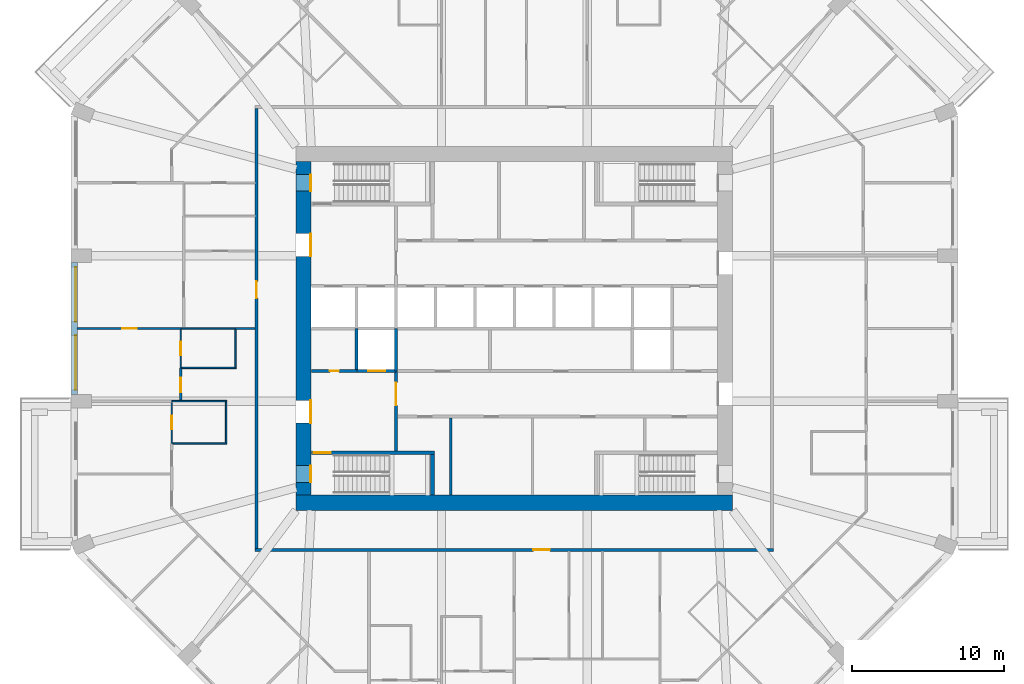
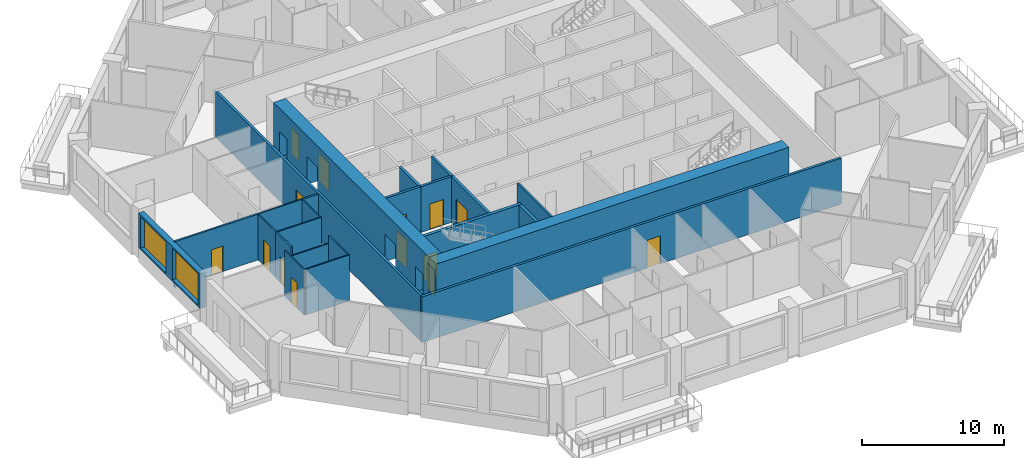
# One storey, part 4 of 13: 24 walls, 14 doors, 2 windows, 16 openings.
"""IFC4 building model written with IfcOpenShell, lengths in metres."""

import ifcopenshell
import ifcopenshell.guid

model = None  # the IFC model being written
_history = None  # IfcOwnerHistory: only IFC2X3 demands one
_inside = {}  # id of a spatial element -> (the spatial element, [elements in it])
_under = {}  # id of a project, library or spatial element -> (it, [spatial elements below it])
_declared = {}  # id of a project -> (the project, [libraries it declares])
_typed = {}  # id of a type object -> (the type object, [elements of that type])
_made_of = {}  # id of a material, layer set ... -> (it, [elements and type objects made of it])


def new_model(schema):
    """Start an empty IFC model of exactly this schema.

    Asked for "IFC4X3", IfcOpenShell would pick the latest addendum, in which some entities
    have other attributes; the version numbers below select the first issue.
    IFC2X3 requires an IfcOwnerHistory on every rooted entity: one is made here for all.
    """
    global model, _history
    if schema == "IFC4X3":
        model = ifcopenshell.file(schema_version=(4, 3, 0, 0))
    else:
        model = ifcopenshell.file(schema=schema)
    _inside.clear()
    _under.clear()
    _declared.clear()
    _typed.clear()
    _made_of.clear()
    _history = None
    if model.schema == "IFC2X3":
        org = make("IfcOrganization", Name="unknown")
        user = make(
            "IfcPersonAndOrganization",
            ThePerson=make("IfcPerson", FamilyName="unknown"),
            TheOrganization=org,
        )
        app = make(
            "IfcApplication",
            ApplicationDeveloper=org,
            Version="unknown",
            ApplicationFullName="unknown",
            ApplicationIdentifier="unknown",
        )
        _history = make(
            "IfcOwnerHistory",
            OwningUser=user,
            OwningApplication=app,
            ChangeAction="ADDED",
            CreationDate=0,
        )
    return model


def make(cls, **values):
    """One entity of the class cls with the attributes given. An attribute that is None is left unset."""
    return model.create_entity(
        cls, **{name: value for name, value in values.items() if value is not None}
    )


def rooted(cls, **values):
    """An entity with a GlobalId (a new one), such as an element, a storey or a relation."""
    return make(cls, GlobalId=ifcopenshell.guid.new(), OwnerHistory=_history, **values)


def si_unit(unit_type, name, prefix=None):
    """IfcSIUnit, for example si_unit("LENGTHUNIT", "METRE", prefix="MILLI")."""
    return make("IfcSIUnit", UnitType=unit_type, Prefix=prefix, Name=name)


def assignment(units):
    """IfcUnitAssignment: the units of a project."""
    return None if units is None else make("IfcUnitAssignment", Units=units)


def point(xyz):
    """IfcCartesianPoint."""
    return None if xyz is None else make("IfcCartesianPoint", Coordinates=xyz)


def direction(xyz):
    """IfcDirection."""
    return None if xyz is None else make("IfcDirection", DirectionRatios=xyz)


def frame(location, z_axis=None, x_axis=None):
    """IfcAxis2Placement3D, a coordinate frame: its origin and axes. An axis left out is left unset."""
    return make(
        "IfcAxis2Placement3D",
        Location=point(location),
        Axis=direction(z_axis),
        RefDirection=direction(x_axis),
    )


def frame_2d(location, x_axis=None):
    """IfcAxis2Placement2D, a coordinate frame in the plane: its origin and x axis."""
    return make(
        "IfcAxis2Placement2D", Location=point(location), RefDirection=direction(x_axis)
    )


def origin():
    """The frame at (0, 0, 0) with its axes left unset."""
    return frame((0.0, 0.0, 0.0))


def place(relative_to, where):
    """IfcLocalPlacement: puts the frame where relative to a parent placement (None: the world)."""
    return make(
        "IfcLocalPlacement", PlacementRelTo=relative_to, RelativePlacement=where
    )


def context(
    kind, dimensions, precision=None, world=None, true_north=None, identifier=None
):
    """IfcGeometricRepresentationContext, for example the 3D "Model" context."""
    return make(
        "IfcGeometricRepresentationContext",
        ContextIdentifier=identifier,
        ContextType=kind,
        CoordinateSpaceDimension=dimensions,
        Precision=precision,
        WorldCoordinateSystem=world,
        TrueNorth=true_north,
    )


def subcontext(parent, identifier, kind, view, scale=None):
    """IfcGeometricRepresentationSubContext, for example "Body" below "Model"."""
    return make(
        "IfcGeometricRepresentationSubContext",
        ContextIdentifier=identifier,
        ContextType=kind,
        ParentContext=parent,
        TargetScale=scale,
        TargetView=view,
    )


def project(units=None, contexts=None):
    """IfcProject with its units and contexts."""
    return rooted(
        "IfcProject",
        Name="project",
        RepresentationContexts=contexts,
        UnitsInContext=assignment(units),
    )


def spatial(cls, under=None, at=None, **own):
    """A site, building, storey or space (cls), placed at a placement, below another one or the project."""
    s = rooted(cls, ObjectPlacement=at, **own)
    if under is not None:
        _under.setdefault(under.id(), (under, []))[1].append(s)
    return s


def profile(cls, at=None, kind="AREA", **sizes):
    """A parametric profile (cls). Its sizes go by their IFC names, for example OverallWidth=200.0."""
    return make(cls, ProfileType=kind, Position=at, **sizes)


def rectangle(**sizes):
    """IfcRectangleProfileDef."""
    return profile("IfcRectangleProfileDef", **sizes)


def extrude(swept, where, along, depth):
    """IfcExtrudedAreaSolid: the profile swept, set in the frame where, extruded along a direction by depth."""
    return make(
        "IfcExtrudedAreaSolid",
        SweptArea=swept,
        Position=where,
        ExtrudedDirection=direction(along),
        Depth=depth,
    )


def shape(context_of_items, identifier, shape_type, items):
    """IfcShapeRepresentation: the items that make up one representation, for example the "Body"."""
    return make(
        "IfcShapeRepresentation",
        ContextOfItems=context_of_items,
        RepresentationIdentifier=identifier,
        RepresentationType=shape_type,
        Items=items,
    )


def material(Name=None, Category=None):
    """IfcMaterial."""
    return make("IfcMaterial", Name=Name, Category=Category)


def layer(
    of_material, thickness, ventilated=None, Name=None, Category=None, Priority=None
):
    """IfcMaterialLayer: one layer of a wall or slab, of a material (None: an air gap)."""
    return make(
        "IfcMaterialLayer",
        Material=of_material,
        LayerThickness=thickness,
        IsVentilated=ventilated,
        Name=Name,
        Category=Category,
        Priority=Priority,
    )


def layer_set(layers, Name=None):
    """IfcMaterialLayerSet."""
    return make("IfcMaterialLayerSet", MaterialLayers=layers, LayerSetName=Name)


def made_of(thing, what):
    """Note that an element or type object is made of a material, layer set ...; save() writes the relation."""
    if what is not None:
        _made_of.setdefault(what.id(), (what, []))[1].append(thing)
    return thing


def type_object(cls, material=None, **own):
    """A type object (cls), such as IfcWallType, which elements share."""
    return made_of(rooted(cls, **own), material)


def element(
    cls,
    number,
    at=None,
    inside=None,
    cuts=None,
    type_object=None,
    material=None,
    context=None,
    identifier="Body",
    shape_type=None,
    held_by="IfcProductDefinitionShape",
    body=None,
    shapes=None,
    **own,
):
    """One element of the class cls, such as IfcWall. Its Tag is "e" and its number.

    at: its placement. inside: the storey or other place that contains it. cuts: it is an
    opening in that element (IfcRelVoidsElement). A single representation is given by context,
    identifier, shape_type and body (its items); several are given by shapes. held_by: the class
    of the entity that holds the representations. save() writes the other relations.
    """
    e = rooted(cls, Tag="e%d" % number, ObjectPlacement=at, **own)
    if body is not None:
        shapes = [shape(context, identifier, shape_type, body)]
    if shapes is not None:
        e.Representation = make(held_by, Representations=shapes)
    if inside is not None:
        _inside.setdefault(inside.id(), (inside, []))[1].append(e)
    if cuts is not None:
        rooted(
            "IfcRelVoidsElement", RelatingBuildingElement=cuts, RelatedOpeningElement=e
        )
    if type_object is not None:
        _typed.setdefault(type_object.id(), (type_object, []))[1].append(e)
    return made_of(e, material)


def fill(opening, filler):
    """IfcRelFillsElement: the door or window that sits in an opening."""
    return rooted(
        "IfcRelFillsElement",
        RelatingOpeningElement=opening,
        RelatedBuildingElement=filler,
    )


def aggregate(whole, parts):
    """IfcRelAggregates: a whole, such as a stair, and the parts it consists of."""
    return rooted("IfcRelAggregates", RelatingObject=whole, RelatedObjects=parts)


def save(model, path):
    """Write the relations noted so far, then the file.

    IfcRelAggregates (storeys below a building ...), IfcRelContainedInSpatialStructure (elements
    in a storey), IfcRelDefinesByType, IfcRelAssociatesMaterial and IfcRelDeclares: one each for
    every whole, place, type object, material and project.
    """
    for whole, parts in _under.values():
        aggregate(whole, parts)
    for where, things in _inside.values():
        rooted(
            "IfcRelContainedInSpatialStructure",
            RelatedElements=things,
            RelatingStructure=where,
        )
    for kind, things in _typed.values():
        rooted("IfcRelDefinesByType", RelatedObjects=things, RelatingType=kind)
    for what, things in _made_of.values():
        rooted("IfcRelAssociatesMaterial", RelatedObjects=things, RelatingMaterial=what)
    for by, libraries in _declared.values():
        rooted("IfcRelDeclares", RelatingContext=by, RelatedDefinitions=libraries)
    model.write(path)


model = new_model("IFC4")

# Units and contexts
model_context = context("Model", 3, precision=1e-05, world=origin(), true_north=direction((0.0, 1.0)))
body_context = subcontext(model_context, "Body", "Model", "MODEL_VIEW")
ifc_project = project(units=[si_unit("LENGTHUNIT", "METRE"), si_unit("AREAUNIT", "SQUARE_METRE"), si_unit("VOLUMEUNIT", "CUBIC_METRE"), si_unit("PLANEANGLEUNIT", "RADIAN"), si_unit("MASSUNIT", "GRAM", prefix="KILO")], contexts=[model_context])

# Site, building, storey
site_placement = place(None, origin())
site = spatial("IfcSite", under=ifc_project, at=site_placement, CompositionType="ELEMENT")
building_placement = place(site_placement, origin())
building = spatial("IfcBuilding", under=site, at=building_placement, Name="Msitu Wima Residences", CompositionType="ELEMENT")
storey_placement = place(building_placement, frame((0.0, 0.0, 80.10009765625)))
storey = spatial("IfcBuildingStorey", under=building, at=storey_placement, Name="L18", CompositionType="ELEMENT", Elevation=80.10009765625)

# Wall, openings, windows
ifc_material_1 = material(Name="Brick (red buff mix)", Category="masonry")
ifc_layer_1 = layer(ifc_material_1, 0.449951171875)
ifc_layer_set_1 = layer_set([ifc_layer_1], Name="Brick (red buff mix)")
wall_type_1 = type_object("IfcWallType", Name="Brick infill wall BW450", PredefinedType="SOLIDWALL", material=ifc_layer_set_1)
wall_1_placement = place(storey_placement, frame((-29.02490234375, 4.35009765625, 0.89990234375), z_axis=(0.0, 0.0, 1.0), x_axis=(0.0, -1.0, 0.0)))
wall_1 = element("IfcWall", 1, at=wall_1_placement, inside=storey, type_object=wall_type_1, Name="Brick infill wall L18 W1", PredefinedType="SOLIDWALL", context=body_context, shape_type="SweptSolid", body=[
    extrude(rectangle(XDim=8.7001953125, YDim=0.449951171875, at=frame_2d((4.35009765625, 0.0))), origin(), (0.0, 0.0, 1.0), 3.0),
])
opening_1_placement = place(wall_1_placement, frame((0.300048828125, 0.0, 0.14990234375)))
opening_1 = element("IfcOpeningElement", 2, at=opening_1_placement, cuts=wall_1, Name="Opening W18-20.031", PredefinedType="OPENING", context=body_context, shape_type="SweptSolid", body=[
    extrude(rectangle(XDim=3.60009765625, YDim=2.699951171875, at=frame_2d((1.800048828125, 1.35009765625))), frame((0.0, 0.23486328125, 0.0), z_axis=(0.0, -1.0, 0.0), x_axis=(1.0, 0.0, 0.0)), (0.0, 0.0, 1.0), 0.469970703125),
])
opening_2_placement = place(wall_1_placement, frame((4.800048828125, 0.0, 0.14990234375)))
opening_2 = element("IfcOpeningElement", 3, at=opening_2_placement, cuts=wall_1, Name="Opening W18-20.032", PredefinedType="OPENING", context=body_context, shape_type="SweptSolid", body=[
    extrude(rectangle(XDim=3.60009765625, YDim=2.699951171875, at=frame_2d((1.800048828125, 1.35009765625))), frame((0.0, 0.23486328125, 0.0), z_axis=(0.0, -1.0, 0.0), x_axis=(1.0, 0.0, 0.0)), (0.0, 0.0, 1.0), 0.469970703125),
])
ifc_material_2 = material(Name="Anodised aluminium, bronze finish, clear low-emissivity double glazing", Category="aluminium")
window_type = type_object("IfcWindowType", Name="Window W3600x2700", PartitioningType="DOUBLE_PANEL_VERTICAL", PredefinedType="WINDOW", material=ifc_material_2)
window_1_placement = place(opening_1_placement, origin())
window_1 = element("IfcWindow", 4, at=window_1_placement, inside=storey, type_object=window_type, Name="Window L18 W1.1", OverallHeight=2.699951171875, OverallWidth=3.60009765625, PartitioningType="SINGLE_PANEL", PredefinedType="WINDOW", context=body_context, shape_type="SweptSolid", body=[
    extrude(rectangle(XDim=3.60009765625, YDim=2.699951171875, at=frame_2d((1.800048828125, 1.35009765625))), frame((0.0, 0.135009765625, 0.0), z_axis=(0.0, -1.0, 0.0), x_axis=(1.0, 0.0, 0.0)), (0.0, 0.0, 1.0), 0.06005859375),
])
fill(opening_1, window_1)
window_2_placement = place(opening_2_placement, origin())
window_2 = element("IfcWindow", 5, at=window_2_placement, inside=storey, type_object=window_type, Name="Window L18 W1.2", OverallHeight=2.699951171875, OverallWidth=3.60009765625, PartitioningType="SINGLE_PANEL", PredefinedType="WINDOW", context=body_context, shape_type="SweptSolid", body=[
    extrude(rectangle(XDim=3.60009765625, YDim=2.699951171875, at=frame_2d((1.800048828125, 1.35009765625))), frame((0.0, 0.135009765625, 0.0), z_axis=(0.0, -1.0, 0.0), x_axis=(1.0, 0.0, 0.0)), (0.0, 0.0, 1.0), 0.06005859375),
])
fill(opening_2, window_2)

# Wall
ifc_material_3 = material(Name="Concrete C80/95", Category="concrete")
ifc_layer_2 = layer(ifc_material_3, 1.0)
ifc_layer_set_2 = layer_set([ifc_layer_2], Name="Concrete C80/95")
wall_type_2 = type_object("IfcWallType", Name="Core wall CW1000 C80/95", PredefinedType="SHEAR", material=ifc_layer_set_2)
wall_2_placement = place(storey_placement, frame((-14.39990234375, -11.5, 0.0), z_axis=(0.0, 0.0, 1.0), x_axis=(1.0, 0.0, 0.0)))
element("IfcWall", 6, at=wall_2_placement, inside=storey, type_object=wall_type_2, Name="Core wall", PredefinedType="SHEAR", context=body_context, shape_type="SweptSolid", body=[
    extrude(rectangle(XDim=28.7998046875, YDim=1.0, at=frame_2d((14.39990234375, 0.0))), origin(), (0.0, 0.0, 1.0), 4.199951171875),
])

# Wall, openings, doors
wall_3_placement = place(storey_placement, frame((-13.89990234375, -11.0, 0.0), z_axis=(0.0, 0.0, 1.0), x_axis=(0.0, 1.0, 0.0)))
wall_3 = element("IfcWall", 7, at=wall_3_placement, inside=storey, type_object=wall_type_2, Name="Core wall", PredefinedType="SHEAR", context=body_context, shape_type="SweptSolid", body=[
    extrude(rectangle(XDim=22.0, YDim=1.0, at=frame_2d((11.0, 0.0))), origin(), (0.0, 0.0, 1.0), 4.199951171875),
])
opening_3_placement = place(wall_3_placement, frame((20.050048828125, 0.0, 0.0)))
opening_3 = element("IfcOpeningElement", 8, at=opening_3_placement, cuts=wall_3, Name="Opening D18-20.031", PredefinedType="OPENING", context=body_context, shape_type="SweptSolid", body=[
    extrude(rectangle(XDim=1.10009765625, YDim=2.199951171875, at=frame_2d((0.550048828125, 1.10009765625))), frame((0.0, 0.510009765625, 0.0), z_axis=(0.0, -1.0, 0.0), x_axis=(1.0, 0.0, 0.0)), (0.0, 0.0, 1.0), 1.02001953125),
])
opening_4_placement = place(wall_3_placement, frame((0.85009765625, 0.0, 0.0)))
opening_4 = element("IfcOpeningElement", 9, at=opening_4_placement, cuts=wall_3, Name="Opening D18-20.033", PredefinedType="OPENING", context=body_context, shape_type="SweptSolid", body=[
    extrude(rectangle(XDim=1.10009765625, YDim=2.199951171875, at=frame_2d((0.550048828125, 1.10009765625))), frame((0.0, 0.510009765625, 0.0), z_axis=(0.0, -1.0, 0.0), x_axis=(1.0, 0.0, 0.0)), (0.0, 0.0, 1.0), 1.02001953125),
])
opening_5_placement = place(wall_3_placement, frame((15.75, 0.0, 0.0)))
opening_5 = element("IfcOpeningElement", 10, at=opening_5_placement, cuts=wall_3, Name="Opening D18-20.012", PredefinedType="OPENING", context=body_context, shape_type="SweptSolid", body=[
    extrude(rectangle(XDim=1.5, YDim=2.39990234375, at=frame_2d((0.75, 1.199951171875))), frame((0.0, 0.510009765625, 0.0), z_axis=(0.0, -1.0, 0.0), x_axis=(1.0, 0.0, 0.0)), (0.0, 0.0, 1.0), 1.02001953125),
])
opening_6_placement = place(wall_3_placement, frame((4.75, 0.0, 0.0)))
opening_6 = element("IfcOpeningElement", 11, at=opening_6_placement, cuts=wall_3, Name="Opening D18-20.014", PredefinedType="OPENING", context=body_context, shape_type="SweptSolid", body=[
    extrude(rectangle(XDim=1.5, YDim=2.39990234375, at=frame_2d((0.75, 1.199951171875))), frame((0.0, 0.510009765625, 0.0), z_axis=(0.0, -1.0, 0.0), x_axis=(1.0, 0.0, 0.0)), (0.0, 0.0, 1.0), 1.02001953125),
])
ifc_material_4 = material(Name="Steel framed glazed door, fire resisting", Category="steel")
door_type_1 = type_object("IfcDoorType", Name="Lobby door D07 1500x2400", OperationType="DOUBLE_DOOR_SINGLE_SWING", PredefinedType="DOOR", material=ifc_material_4)
door_1_placement = place(opening_5_placement, origin())
door_1 = element("IfcDoor", 12, at=door_1_placement, inside=storey, type_object=door_type_1, Name="Lobby door", OperationType="DOUBLE_DOOR_SINGLE_SWING", OverallHeight=2.39990234375, OverallWidth=1.5, PredefinedType="DOOR", context=body_context, shape_type="SweptSolid", body=[
    extrude(rectangle(XDim=1.5, YDim=2.39990234375, at=frame_2d((0.75, 1.199951171875))), frame((0.0, -0.44482421875, 0.0), z_axis=(0.0, -1.0, 0.0), x_axis=(1.0, 0.0, 0.0)), (0.0, 0.0, 1.0), 0.050048828125),
])
fill(opening_5, door_1)
door_2_placement = place(opening_6_placement, origin())
door_2 = element("IfcDoor", 13, at=door_2_placement, inside=storey, type_object=door_type_1, Name="Lobby door", OperationType="DOUBLE_DOOR_SINGLE_SWING", OverallHeight=2.39990234375, OverallWidth=1.5, PredefinedType="DOOR", context=body_context, shape_type="SweptSolid", body=[
    extrude(rectangle(XDim=1.5, YDim=2.39990234375, at=frame_2d((0.75, 1.199951171875))), frame((0.0, -0.44482421875, 0.0), z_axis=(0.0, -1.0, 0.0), x_axis=(1.0, 0.0, 0.0)), (0.0, 0.0, 1.0), 0.050048828125),
])
fill(opening_6, door_2)
ifc_material_5 = material(Name="Steel door, fire resisting, panic bar", Category="steel")
door_type_2 = type_object("IfcDoorType", Name="Stair door D06 1100x2200", OperationType="SINGLE_SWING_LEFT", PredefinedType="DOOR", material=ifc_material_5)
door_3_placement = place(opening_3_placement, origin())
door_3 = element("IfcDoor", 14, at=door_3_placement, inside=storey, type_object=door_type_2, Name="Stair door", OperationType="SINGLE_SWING_RIGHT", OverallHeight=2.199951171875, OverallWidth=1.10009765625, PredefinedType="DOOR", context=body_context, shape_type="SweptSolid", body=[
    extrude(rectangle(XDim=1.10009765625, YDim=2.199951171875, at=frame_2d((0.550048828125, 1.10009765625))), frame((0.0, -0.44482421875, 0.0), z_axis=(0.0, -1.0, 0.0), x_axis=(1.0, 0.0, 0.0)), (0.0, 0.0, 1.0), 0.050048828125),
])
fill(opening_3, door_3)
door_4_placement = place(opening_4_placement, origin())
door_4 = element("IfcDoor", 15, at=door_4_placement, inside=storey, type_object=door_type_2, Name="Stair door", OperationType="SINGLE_SWING_LEFT", OverallHeight=2.199951171875, OverallWidth=1.10009765625, PredefinedType="DOOR", context=body_context, shape_type="SweptSolid", body=[
    extrude(rectangle(XDim=1.10009765625, YDim=2.199951171875, at=frame_2d((0.550048828125, 1.10009765625))), frame((0.0, -0.44482421875, 0.0), z_axis=(0.0, -1.0, 0.0), x_axis=(1.0, 0.0, 0.0)), (0.0, 0.0, 1.0), 0.050048828125),
])
fill(opening_4, door_4)

# Wall, opening, door
ifc_material_6 = material(Name="Plaster")
ifc_layer_3 = layer(ifc_material_6, 0.011962890625, Name="Plaster")
ifc_material_7 = material(Name="Concrete blockwork", Category="masonry")
ifc_layer_4 = layer(ifc_material_7, 0.176025390625, Name="Concrete blockwork")
ifc_layer_5 = layer(ifc_material_6, 0.011962890625, Name="Plaster")
ifc_layer_set_3 = layer_set([ifc_layer_3, ifc_layer_4, ifc_layer_5], Name="Concrete blockwork")
wall_type_3 = type_object("IfcWallType", Name="Corridor wall FW200", PredefinedType="PARTITIONING", material=ifc_layer_set_3)
wall_4_placement = place(storey_placement, frame((-17.0, -14.5, 0.0), z_axis=(0.0, 0.0, 1.0), x_axis=(0.0, 1.0, 0.0)))
wall_4 = element("IfcWall", 16, at=wall_4_placement, inside=storey, type_object=wall_type_3, Name="Corridor wall", PredefinedType="PARTITIONING", context=body_context, shape_type="SweptSolid", body=[
    extrude(rectangle(XDim=29.0, YDim=0.199951171875, at=frame_2d((14.5, 0.0))), origin(), (0.0, 0.0, 1.0), 3.949951171875),
])
opening_7_placement = place(wall_4_placement, frame((16.5, 0.0, 0.0)))
opening_7 = element("IfcOpeningElement", 17, at=opening_7_placement, cuts=wall_4, Name="Opening D18-20.009", PredefinedType="OPENING", context=body_context, shape_type="SweptSolid", body=[
    extrude(rectangle(XDim=1.10009765625, YDim=2.39990234375, at=frame_2d((0.550048828125, 1.199951171875))), frame((0.0, 0.10986328125, 0.0), z_axis=(0.0, -1.0, 0.0), x_axis=(1.0, 0.0, 0.0)), (0.0, 0.0, 1.0), 0.219970703125),
])
ifc_material_8 = material(Name="Timber flush door, fire resisting, self-closing", Category="wood")
door_type_3 = type_object("IfcDoorType", Name="Flat entrance door D01 1100x2400", OperationType="SINGLE_SWING_LEFT", PredefinedType="DOOR", material=ifc_material_8)
door_5_placement = place(opening_7_placement, origin())
door_5 = element("IfcDoor", 18, at=door_5_placement, inside=storey, type_object=door_type_3, Name="Flat entrance door", OperationType="SINGLE_SWING_RIGHT", OverallHeight=2.39990234375, OverallWidth=1.10009765625, PredefinedType="DOOR", context=body_context, shape_type="SweptSolid", body=[
    extrude(rectangle(XDim=1.10009765625, YDim=2.39990234375, at=frame_2d((0.550048828125, 1.199951171875))), frame((0.0, 0.02490234375, 0.0), z_axis=(0.0, -1.0, 0.0), x_axis=(1.0, 0.0, 0.0)), (0.0, 0.0, 1.0), 0.050048828125),
])
fill(opening_7, door_5)

wall_5_placement = place(storey_placement, frame((-17.10009765625, -14.60009765625, 0.0), z_axis=(0.0, 0.0, 1.0), x_axis=(1.0, 0.0, 0.0)))
wall_5 = element("IfcWall", 19, at=wall_5_placement, inside=storey, type_object=wall_type_3, Name="Corridor wall", PredefinedType="PARTITIONING", context=body_context, shape_type="SweptSolid", body=[
    extrude(rectangle(XDim=34.2001953125, YDim=0.199951171875, at=frame_2d((17.10009765625, 0.0))), origin(), (0.0, 0.0, 1.0), 3.949951171875),
])
opening_8_placement = place(wall_5_placement, frame((18.35009765625, 0.0, 0.0)))
opening_8 = element("IfcOpeningElement", 20, at=opening_8_placement, cuts=wall_5, Name="Opening D18-20.010", PredefinedType="OPENING", context=body_context, shape_type="SweptSolid", body=[
    extrude(rectangle(XDim=1.10009765625, YDim=2.39990234375, at=frame_2d((0.550048828125, 1.199951171875))), frame((0.0, 0.10986328125, 0.0), z_axis=(0.0, -1.0, 0.0), x_axis=(1.0, 0.0, 0.0)), (0.0, 0.0, 1.0), 0.219970703125),
])
door_6_placement = place(opening_8_placement, origin())
door_6 = element("IfcDoor", 21, at=door_6_placement, inside=storey, type_object=door_type_3, Name="Flat entrance door", OperationType="SINGLE_SWING_RIGHT", OverallHeight=2.39990234375, OverallWidth=1.10009765625, PredefinedType="DOOR", context=body_context, shape_type="SweptSolid", body=[
    extrude(rectangle(XDim=1.10009765625, YDim=2.39990234375, at=frame_2d((0.550048828125, 1.199951171875))), frame((0.0, 0.02490234375, 0.0), z_axis=(0.0, -1.0, 0.0), x_axis=(1.0, 0.0, 0.0)), (0.0, 0.0, 1.0), 0.050048828125),
])
fill(opening_8, door_6)

wall_6_placement = place(storey_placement, frame((-7.800048828125, -8.074951171875, 0.0), z_axis=(0.0, 0.0, 1.0), x_axis=(0.0, 1.0, 0.0)))
wall_6 = element("IfcWall", 22, at=wall_6_placement, inside=storey, type_object=wall_type_3, Name="Corridor wall", PredefinedType="PARTITIONING", context=body_context, shape_type="SweptSolid", body=[
    extrude(rectangle(XDim=5.27490234375, YDim=0.199951171875, at=frame_2d((2.637451171875, 0.0))), origin(), (0.0, 0.0, 1.0), 3.949951171875),
])
opening_9_placement = place(wall_6_placement, frame((3.0, 0.0, 0.0)))
opening_9 = element("IfcOpeningElement", 23, at=opening_9_placement, cuts=wall_6, Name="Opening D18-20.015", PredefinedType="OPENING", context=body_context, shape_type="SweptSolid", body=[
    extrude(rectangle(XDim=1.5, YDim=2.39990234375, at=frame_2d((0.75, 1.199951171875))), frame((0.0, 0.10986328125, 0.0), z_axis=(0.0, -1.0, 0.0), x_axis=(1.0, 0.0, 0.0)), (0.0, 0.0, 1.0), 0.219970703125),
])
door_7_placement = place(opening_9_placement, origin())
door_7 = element("IfcDoor", 24, at=door_7_placement, inside=storey, type_object=door_type_1, Name="Lobby door", OperationType="DOUBLE_DOOR_SINGLE_SWING", OverallHeight=2.39990234375, OverallWidth=1.5, PredefinedType="DOOR", context=body_context, shape_type="SweptSolid", body=[
    extrude(rectangle(XDim=1.5, YDim=2.39990234375, at=frame_2d((0.75, 1.199951171875))), frame((0.0, 0.02490234375, 0.0), z_axis=(0.0, -1.0, 0.0), x_axis=(1.0, 0.0, 0.0)), (0.0, 0.0, 1.0), 0.050048828125),
])
fill(opening_9, door_7)

ifc_layer_6 = layer(ifc_material_6, 0.011962890625, Name="Plaster")
ifc_layer_7 = layer(ifc_material_7, 0.1259765625, Name="Concrete blockwork")
ifc_layer_8 = layer(ifc_material_6, 0.011962890625, Name="Plaster")
ifc_layer_set_4 = layer_set([ifc_layer_6, ifc_layer_7, ifc_layer_8], Name="Concrete blockwork")
wall_type_4 = type_object("IfcWallType", Name="Partition PW150", PredefinedType="PARTITIONING", material=ifc_layer_set_4)
wall_7_placement = place(storey_placement, frame((-28.85498046875, 0.0, 0.0), z_axis=(0.0, 0.0, 1.0), x_axis=(1.0, 0.0, 0.0)))
wall_7 = element("IfcWall", 25, at=wall_7_placement, inside=storey, type_object=wall_type_4, Name="Partition", PredefinedType="PARTITIONING", context=body_context, shape_type="SweptSolid", body=[
    extrude(rectangle(XDim=6.875, YDim=0.14990234375, at=frame_2d((3.4375, 0.0))), origin(), (0.0, 0.0, 1.0), 3.949951171875),
])
opening_10_placement = place(wall_7_placement, frame((3.0, 0.0, 0.0)))
opening_10 = element("IfcOpeningElement", 26, at=opening_10_placement, cuts=wall_7, Name="Opening D18-20.054", PredefinedType="OPENING", context=body_context, shape_type="SweptSolid", body=[
    extrude(rectangle(XDim=0.949951171875, YDim=2.199951171875, at=frame_2d((0.47509765625, 1.10009765625))), frame((0.0, 0.0849609375, 0.0), z_axis=(0.0, -1.0, 0.0), x_axis=(1.0, 0.0, 0.0)), (0.0, 0.0, 1.0), 0.169921875),
])
ifc_material_9 = material(Name="Timber flush door", Category="wood")
door_type_4 = type_object("IfcDoorType", Name="Room door D12 950x2200", OperationType="SINGLE_SWING_LEFT", PredefinedType="DOOR", material=ifc_material_9)
door_8_placement = place(opening_10_placement, origin())
door_8 = element("IfcDoor", 27, at=door_8_placement, inside=storey, type_object=door_type_4, Name="Room door", OperationType="SINGLE_SWING_RIGHT", OverallHeight=2.199951171875, OverallWidth=0.949951171875, PredefinedType="DOOR", context=body_context, shape_type="SweptSolid", body=[
    extrude(rectangle(XDim=0.949951171875, YDim=2.199951171875, at=frame_2d((0.47509765625, 1.10009765625))), frame((0.0, 0.02490234375, 0.0), z_axis=(0.0, -1.0, 0.0), x_axis=(1.0, 0.0, 0.0)), (0.0, 0.0, 1.0), 0.050048828125),
])
fill(opening_10, door_8)

wall_8_placement = place(storey_placement, frame((-22.0, -4.75, 0.0), z_axis=(0.0, 0.0, 1.0), x_axis=(0.0, 1.0, 0.0)))
wall_8 = element("IfcWall", 28, at=wall_8_placement, inside=storey, type_object=wall_type_4, Name="Partition", PredefinedType="PARTITIONING", context=body_context, shape_type="SweptSolid", body=[
    extrude(rectangle(XDim=2.1298828125, YDim=0.14990234375, at=frame_2d((1.06494140625, 0.0))), origin(), (0.0, 0.0, 1.0), 3.949951171875),
])
opening_11_placement = place(wall_8_placement, frame((0.550048828125, 0.0, 0.0)))
opening_11 = element("IfcOpeningElement", 29, at=opening_11_placement, cuts=wall_8, Name="Opening D18-20.056", PredefinedType="OPENING", context=body_context, shape_type="SweptSolid", body=[
    extrude(rectangle(XDim=0.949951171875, YDim=2.199951171875, at=frame_2d((0.47509765625, 1.10009765625))), frame((0.0, 0.0849609375, 0.0), z_axis=(0.0, -1.0, 0.0), x_axis=(1.0, 0.0, 0.0)), (0.0, 0.0, 1.0), 0.169921875),
])
door_9_placement = place(opening_11_placement, origin())
door_9 = element("IfcDoor", 30, at=door_9_placement, inside=storey, type_object=door_type_4, Name="Room door", OperationType="SINGLE_SWING_LEFT", OverallHeight=2.199951171875, OverallWidth=0.949951171875, PredefinedType="DOOR", context=body_context, shape_type="SweptSolid", body=[
    extrude(rectangle(XDim=0.949951171875, YDim=2.199951171875, at=frame_2d((0.47509765625, 1.10009765625))), frame((0.0, 0.02490234375, 0.0), z_axis=(0.0, -1.0, 0.0), x_axis=(1.0, 0.0, 0.0)), (0.0, 0.0, 1.0), 0.050048828125),
])
fill(opening_11, door_9)

# Walls
wall_9_placement = place(storey_placement, frame((-18.3798828125, 0.0, 0.0), z_axis=(0.0, 0.0, 1.0), x_axis=(1.0, 0.0, 0.0)))
element("IfcWall", 31, at=wall_9_placement, inside=storey, type_object=wall_type_4, Name="Partition", PredefinedType="PARTITIONING", context=body_context, shape_type="SweptSolid", body=[
    extrude(rectangle(XDim=1.27978515625, YDim=0.14990234375, at=frame_2d((0.639892578125, 0.0))), origin(), (0.0, 0.0, 1.0), 3.949951171875),
])
wall_10_placement = place(storey_placement, frame((-4.199951171875, -10.969970703125, 0.0), z_axis=(0.0, 0.0, 1.0), x_axis=(0.0, 1.0, 0.0)))
element("IfcWall", 32, at=wall_10_placement, inside=storey, type_object=wall_type_4, Name="Partition", PredefinedType="PARTITIONING", context=body_context, shape_type="SweptSolid", body=[
    extrude(rectangle(XDim=5.070068359375, YDim=0.14990234375, at=frame_2d((2.53515625, 0.0))), origin(), (0.0, 0.0, 1.0), 3.949951171875),
])

# Wall, opening, door
ifc_layer_9 = layer(ifc_material_6, 0.011962890625, Name="Plaster")
ifc_material_10 = material(Name="Reinforced concrete blockwork", Category="masonry")
ifc_layer_10 = layer(ifc_material_10, 0.176025390625, Name="Reinforced concrete blockwork")
ifc_layer_11 = layer(ifc_material_6, 0.011962890625, Name="Plaster")
ifc_layer_set_5 = layer_set([ifc_layer_9, ifc_layer_10, ifc_layer_11], Name="Reinforced concrete blockwork")
wall_type_5 = type_object("IfcWallType", Name="Plant and riser wall PL200", PredefinedType="PARTITIONING", material=ifc_layer_set_5)
wall_11_placement = place(storey_placement, frame((-13.3701171875, -2.800048828125, 0.0), z_axis=(0.0, 0.0, 1.0), x_axis=(1.0, 0.0, 0.0)))
wall_11 = element("IfcWall", 33, at=wall_11_placement, inside=storey, type_object=wall_type_5, Name="Plant and riser wall", PredefinedType="PARTITIONING", context=body_context, shape_type="SweptSolid", body=[
    extrude(rectangle(XDim=2.990234375, YDim=0.199951171875, at=frame_2d((1.4951171875, 0.0))), origin(), (0.0, 0.0, 1.0), 3.949951171875),
])
opening_12_placement = place(wall_11_placement, frame((1.199951171875, 0.0, 0.0)))
opening_12 = element("IfcOpeningElement", 34, at=opening_12_placement, cuts=wall_11, Name="Opening D18-20.028", PredefinedType="OPENING", context=body_context, shape_type="SweptSolid", body=[
    extrude(rectangle(XDim=0.60009765625, YDim=2.0, at=frame_2d((0.300048828125, 1.0))), frame((0.0, 0.10986328125, 0.0), z_axis=(0.0, -1.0, 0.0), x_axis=(1.0, 0.0, 0.0)), (0.0, 0.0, 1.0), 0.219970703125),
])
ifc_material_11 = material(Name="Steel access door, fire resisting", Category="steel")
door_type_5 = type_object("IfcDoorType", Name="Riser access door D08 600x2000", OperationType="SINGLE_SWING_LEFT", PredefinedType="DOOR", material=ifc_material_11)
door_10_placement = place(opening_12_placement, origin())
door_10 = element("IfcDoor", 35, at=door_10_placement, inside=storey, type_object=door_type_5, Name="Riser access door", OperationType="SINGLE_SWING_RIGHT", OverallHeight=2.0, OverallWidth=0.60009765625, PredefinedType="DOOR", context=body_context, shape_type="SweptSolid", body=[
    extrude(rectangle(XDim=0.60009765625, YDim=2.0, at=frame_2d((0.300048828125, 1.0))), frame((0.0, 0.02490234375, 0.0), z_axis=(0.0, -1.0, 0.0), x_axis=(1.0, 0.0, 0.0)), (0.0, 0.0, 1.0), 0.050048828125),
])
fill(opening_12, door_10)

# Wall
ifc_material_12 = material(Name="Fire-rated board")
ifc_layer_12 = layer(ifc_material_12, 0.02490234375, Name="Fire-rated board")
ifc_material_13 = material(Name="Light-gauge stud framing with mineral wool")
ifc_layer_13 = layer(ifc_material_13, 0.14990234375, Name="Light-gauge stud framing with mineral wool")
ifc_layer_14 = layer(ifc_material_12, 0.02490234375, Name="Fire-rated board")
ifc_layer_set_6 = layer_set([ifc_layer_12, ifc_layer_13, ifc_layer_14], Name="Light-gauge stud framing with mineral wool")
wall_type_6 = type_object("IfcWallType", Name="Shaft wall SH200", PredefinedType="PARTITIONING", material=ifc_layer_set_6)
wall_12_placement = place(storey_placement, frame((-10.39990234375, -2.699951171875, 0.0), z_axis=(0.0, 0.0, 1.0), x_axis=(0.0, 1.0, 0.0)))
element("IfcWall", 36, at=wall_12_placement, inside=storey, type_object=wall_type_6, Name="Shaft wall", PredefinedType="PARTITIONING", context=body_context, shape_type="SweptSolid", body=[
    extrude(rectangle(XDim=2.699951171875, YDim=0.199951171875, at=frame_2d((1.35009765625, 0.0))), origin(), (0.0, 0.0, 1.0), 3.949951171875),
])

# Wall, opening, door
wall_13_placement = place(storey_placement, frame((-10.3798828125, -2.800048828125, 0.0), z_axis=(0.0, 0.0, 1.0), x_axis=(1.0, 0.0, 0.0)))
wall_13 = element("IfcWall", 37, at=wall_13_placement, inside=storey, type_object=wall_type_6, Name="Shaft wall", PredefinedType="PARTITIONING", context=body_context, shape_type="SweptSolid", body=[
    extrude(rectangle(XDim=2.559814453125, YDim=0.199951171875, at=frame_2d((1.27978515625, 0.0))), origin(), (0.0, 0.0, 1.0), 3.949951171875),
])
opening_13_placement = place(wall_13_placement, frame((0.75, 0.0, 0.0)))
opening_13 = element("IfcOpeningElement", 38, at=opening_13_placement, cuts=wall_13, Name="Opening LD", PredefinedType="OPENING", context=body_context, shape_type="SweptSolid", body=[
    extrude(rectangle(XDim=1.10009765625, YDim=2.199951171875, at=frame_2d((0.550048828125, 1.10009765625))), frame((0.0, 0.10986328125, 0.0), z_axis=(0.0, -1.0, 0.0), x_axis=(1.0, 0.0, 0.0)), (0.0, 0.0, 1.0), 0.219970703125),
])
ifc_material_14 = material(Name="Stainless steel centre-opening landing door, rated", Category="steel")
door_type_6 = type_object("IfcDoorType", Name="Lift landing door LD 1100x2200", OperationType="DOUBLE_DOOR_SLIDING", PredefinedType="DOOR", material=ifc_material_14)
door_11_placement = place(opening_13_placement, origin())
door_11 = element("IfcDoor", 39, at=door_11_placement, inside=storey, type_object=door_type_6, Name="Lift landing door LD3", OperationType="DOUBLE_DOOR_SLIDING", OverallHeight=2.199951171875, OverallWidth=1.10009765625, PredefinedType="DOOR", context=body_context, shape_type="SweptSolid", body=[
    extrude(rectangle(XDim=1.10009765625, YDim=2.199951171875, at=frame_2d((0.550048828125, 1.10009765625))), frame((0.0, 0.02490234375, 0.0), z_axis=(0.0, -1.0, 0.0), x_axis=(1.0, 0.0, 0.0)), (0.0, 0.0, 1.0), 0.050048828125),
])
fill(opening_13, door_11)

# Wall
wall_14_placement = place(storey_placement, frame((-7.800048828125, -2.800048828125, 0.0), z_axis=(0.0, 0.0, 1.0), x_axis=(0.0, 1.0, 0.0)))
element("IfcWall", 40, at=wall_14_placement, inside=storey, type_object=wall_type_6, Name="Shaft wall", PredefinedType="PARTITIONING", context=body_context, shape_type="SweptSolid", body=[
    extrude(rectangle(XDim=2.800048828125, YDim=0.199951171875, at=frame_2d((1.39990234375, 0.0))), origin(), (0.0, 0.0, 1.0), 3.949951171875),
])

# Wall, opening, door
ifc_material_15 = material(Name="Concrete C50/60", Category="concrete")
ifc_layer_15 = layer(ifc_material_15, 0.25)
ifc_layer_set_7 = layer_set([ifc_layer_15], Name="Concrete C50/60")
wall_type_7 = type_object("IfcWallType", Name="Stair enclosure wall SW250", PredefinedType="SHEAR", material=ifc_layer_set_7)
wall_15_placement = place(storey_placement, frame((-13.3701171875, -8.199951171875, 0.0), z_axis=(0.0, 0.0, 1.0), x_axis=(1.0, 0.0, 0.0)))
wall_15 = element("IfcWall", 41, at=wall_15_placement, inside=storey, type_object=wall_type_7, Name="Stair enclosure wall", PredefinedType="SHEAR", context=body_context, shape_type="SweptSolid", body=[
    extrude(rectangle(XDim=8.09521484375, YDim=0.25, at=frame_2d((4.047607421875, 0.0))), origin(), (0.0, 0.0, 1.0), 3.949951171875),
])
opening_14_placement = place(wall_15_placement, frame((0.14990234375, 0.0, 0.0)))
opening_14 = element("IfcOpeningElement", 42, at=opening_14_placement, cuts=wall_15, Name="Opening D18-20.034", PredefinedType="OPENING", context=body_context, shape_type="SweptSolid", body=[
    extrude(rectangle(XDim=1.10009765625, YDim=2.199951171875, at=frame_2d((0.550048828125, 1.10009765625))), frame((0.0, 0.135009765625, 0.0), z_axis=(0.0, -1.0, 0.0), x_axis=(1.0, 0.0, 0.0)), (0.0, 0.0, 1.0), 0.27001953125),
])
door_12_placement = place(opening_14_placement, origin())
door_12 = element("IfcDoor", 43, at=door_12_placement, inside=storey, type_object=door_type_2, Name="Stair door", OperationType="SINGLE_SWING_RIGHT", OverallHeight=2.199951171875, OverallWidth=1.10009765625, PredefinedType="DOOR", context=body_context, shape_type="SweptSolid", body=[
    extrude(rectangle(XDim=1.10009765625, YDim=2.199951171875, at=frame_2d((0.550048828125, 1.10009765625))), frame((0.0, 0.02490234375, 0.0), z_axis=(0.0, -1.0, 0.0), x_axis=(1.0, 0.0, 0.0)), (0.0, 0.0, 1.0), 0.050048828125),
])
fill(opening_14, door_12)

# Walls
wall_16_placement = place(storey_placement, frame((-5.39990234375, -10.969970703125, 0.0), z_axis=(0.0, 0.0, 1.0), x_axis=(0.0, 1.0, 0.0)))
element("IfcWall", 44, at=wall_16_placement, inside=storey, type_object=wall_type_7, Name="Stair enclosure wall", PredefinedType="SHEAR", context=body_context, shape_type="SweptSolid", body=[
    extrude(rectangle(XDim=2.64501953125, YDim=0.25, at=frame_2d((1.322509765625, 0.0))), origin(), (0.0, 0.0, 1.0), 3.949951171875),
])
ifc_material_16 = material(Name="Ceramic tiles")
ifc_layer_16 = layer(ifc_material_16, 0.008056640625, Name="Ceramic tiles")
ifc_material_17 = material(Name="Moisture-resistant board")
ifc_layer_17 = layer(ifc_material_17, 0.012451171875, Name="Moisture-resistant board")
ifc_layer_18 = layer(ifc_material_13, 0.06689453125, Name="Light-gauge stud framing with mineral wool")
ifc_layer_19 = layer(ifc_material_17, 0.012451171875, Name="Moisture-resistant board")
ifc_layer_set_8 = layer_set([ifc_layer_16, ifc_layer_17, ifc_layer_18, ifc_layer_19], Name="Light-gauge stud framing with mineral wool")
wall_type_8 = type_object("IfcWallType", Name="Wet wall PW100", PredefinedType="PARTITIONING", material=ifc_layer_set_8)
wall_17_placement = place(storey_placement, frame((-22.580078125, -4.800048828125, 0.0), z_axis=(0.0, 0.0, 1.0), x_axis=(1.0, 0.0, 0.0)))
element("IfcWall", 45, at=wall_17_placement, inside=storey, type_object=wall_type_8, Name="Wet wall", PredefinedType="PARTITIONING", context=body_context, shape_type="SweptSolid", body=[
    extrude(rectangle(XDim=3.630126953125, YDim=0.10009765625, at=frame_2d((1.81494140625, 0.0))), origin(), (0.0, 0.0, 1.0), 3.25),
])

# Wall, opening, door
wall_18_placement = place(storey_placement, frame((-22.60009765625, -7.60009765625, 0.0), z_axis=(0.0, 0.0, 1.0), x_axis=(0.0, 1.0, 0.0)))
wall_18 = element("IfcWall", 46, at=wall_18_placement, inside=storey, type_object=wall_type_8, Name="Wet wall", PredefinedType="PARTITIONING", context=body_context, shape_type="SweptSolid", body=[
    extrude(rectangle(XDim=2.72509765625, YDim=0.10009765625, at=frame_2d((1.362548828125, 0.0))), origin(), (0.0, 0.0, 1.0), 3.949951171875),
])
opening_15_placement = place(wall_18_placement, frame((0.949951171875, 0.0, 0.0)))
opening_15 = element("IfcOpeningElement", 47, at=opening_15_placement, cuts=wall_18, Name="Opening D18-20.061", PredefinedType="OPENING", context=body_context, shape_type="SweptSolid", body=[
    extrude(rectangle(XDim=0.89990234375, YDim=2.199951171875, at=frame_2d((0.449951171875, 1.10009765625))), frame((0.0, 0.06005859375, 0.0), z_axis=(0.0, -1.0, 0.0), x_axis=(1.0, 0.0, 0.0)), (0.0, 0.0, 1.0), 0.1201171875),
])
ifc_material_18 = material(Name="Timber flush door, moisture resistant", Category="wood")
door_type_7 = type_object("IfcDoorType", Name="Bathroom door D03 900x2200", OperationType="SINGLE_SWING_LEFT", PredefinedType="DOOR", material=ifc_material_18)
door_13_placement = place(opening_15_placement, origin())
door_13 = element("IfcDoor", 48, at=door_13_placement, inside=storey, type_object=door_type_7, Name="Bathroom door", OperationType="SINGLE_SWING_LEFT", OverallHeight=2.199951171875, OverallWidth=0.89990234375, PredefinedType="DOOR", context=body_context, shape_type="SweptSolid", body=[
    extrude(rectangle(XDim=0.89990234375, YDim=2.199951171875, at=frame_2d((0.449951171875, 1.10009765625))), frame((0.0, 0.02490234375, 0.0), z_axis=(0.0, -1.0, 0.0), x_axis=(1.0, 0.0, 0.0)), (0.0, 0.0, 1.0), 0.050048828125),
])
fill(opening_15, door_13)

# Walls
wall_19_placement = place(storey_placement, frame((-22.52490234375, -7.60009765625, 0.0), z_axis=(0.0, 0.0, 1.0), x_axis=(1.0, 0.0, 0.0)))
element("IfcWall", 49, at=wall_19_placement, inside=storey, type_object=wall_type_8, Name="Wet wall", PredefinedType="PARTITIONING", context=body_context, shape_type="SweptSolid", body=[
    extrude(rectangle(XDim=3.574951171875, YDim=0.10009765625, at=frame_2d((1.78759765625, 0.0))), origin(), (0.0, 0.0, 1.0), 3.949951171875),
])
wall_20_placement = place(storey_placement, frame((-21.97998046875, 0.0, 0.0), z_axis=(0.0, 0.0, 1.0), x_axis=(1.0, 0.0, 0.0)))
element("IfcWall", 50, at=wall_20_placement, inside=storey, type_object=wall_type_8, Name="Wet wall", PredefinedType="PARTITIONING", context=body_context, shape_type="SweptSolid", body=[
    extrude(rectangle(XDim=3.60009765625, YDim=0.10009765625, at=frame_2d((1.800048828125, 0.0))), origin(), (0.0, 0.0, 1.0), 3.949951171875),
])

# Wall, opening, door
wall_21_placement = place(storey_placement, frame((-22.0, -2.6201171875, 0.0), z_axis=(0.0, 0.0, 1.0), x_axis=(0.0, 1.0, 0.0)))
wall_21 = element("IfcWall", 51, at=wall_21_placement, inside=storey, type_object=wall_type_8, Name="Wet wall", PredefinedType="PARTITIONING", context=body_context, shape_type="SweptSolid", body=[
    extrude(rectangle(XDim=2.545166015625, YDim=0.10009765625, at=frame_2d((1.2724609375, 0.0))), origin(), (0.0, 0.0, 1.0), 3.949951171875),
])
opening_16_placement = place(wall_21_placement, frame((0.85009765625, 0.0, 0.0)))
opening_16 = element("IfcOpeningElement", 52, at=opening_16_placement, cuts=wall_21, Name="Opening D18-20.055", PredefinedType="OPENING", context=body_context, shape_type="SweptSolid", body=[
    extrude(rectangle(XDim=0.89990234375, YDim=2.199951171875, at=frame_2d((0.449951171875, 1.10009765625))), frame((0.0, 0.06005859375, 0.0), z_axis=(0.0, -1.0, 0.0), x_axis=(1.0, 0.0, 0.0)), (0.0, 0.0, 1.0), 0.1201171875),
])
door_14_placement = place(opening_16_placement, origin())
door_14 = element("IfcDoor", 53, at=door_14_placement, inside=storey, type_object=door_type_7, Name="Bathroom door", OperationType="SINGLE_SWING_RIGHT", OverallHeight=2.199951171875, OverallWidth=0.89990234375, PredefinedType="DOOR", context=body_context, shape_type="SweptSolid", body=[
    extrude(rectangle(XDim=0.89990234375, YDim=2.199951171875, at=frame_2d((0.449951171875, 1.10009765625))), frame((0.0, 0.02490234375, 0.0), z_axis=(0.0, -1.0, 0.0), x_axis=(1.0, 0.0, 0.0)), (0.0, 0.0, 1.0), 0.050048828125),
])
fill(opening_16, door_14)

# Walls
wall_22_placement = place(storey_placement, frame((-21.925048828125, -2.60009765625, 0.0), z_axis=(0.0, 0.0, 1.0), x_axis=(1.0, 0.0, 0.0)))
element("IfcWall", 54, at=wall_22_placement, inside=storey, type_object=wall_type_8, Name="Wet wall", PredefinedType="PARTITIONING", context=body_context, shape_type="SweptSolid", body=[
    extrude(rectangle(XDim=3.574951171875, YDim=0.10009765625, at=frame_2d((1.78759765625, 0.0))), origin(), (0.0, 0.0, 1.0), 3.949951171875),
])
wall_23_placement = place(storey_placement, frame((-19.0, -7.550048828125, 0.0), z_axis=(0.0, 0.0, 1.0), x_axis=(0.0, 1.0, 0.0)))
element("IfcWall", 55, at=wall_23_placement, inside=storey, type_object=wall_type_8, Name="Wet wall", PredefinedType="PARTITIONING", context=body_context, shape_type="SweptSolid", body=[
    extrude(rectangle(XDim=2.699951171875, YDim=0.10009765625, at=frame_2d((1.35009765625, 0.0))), origin(), (0.0, 0.0, 1.0), 3.949951171875),
])
wall_24_placement = place(storey_placement, frame((-18.39990234375, -2.550048828125, 0.0), z_axis=(0.0, 0.0, 1.0), x_axis=(0.0, 1.0, 0.0)))
element("IfcWall", 56, at=wall_24_placement, inside=storey, type_object=wall_type_8, Name="Wet wall", PredefinedType="PARTITIONING", context=body_context, shape_type="SweptSolid", body=[
    extrude(rectangle(XDim=2.47509765625, YDim=0.10009765625, at=frame_2d((1.237548828125, 0.0))), origin(), (0.0, 0.0, 1.0), 3.949951171875),
])

save(model, "model.ifc")
